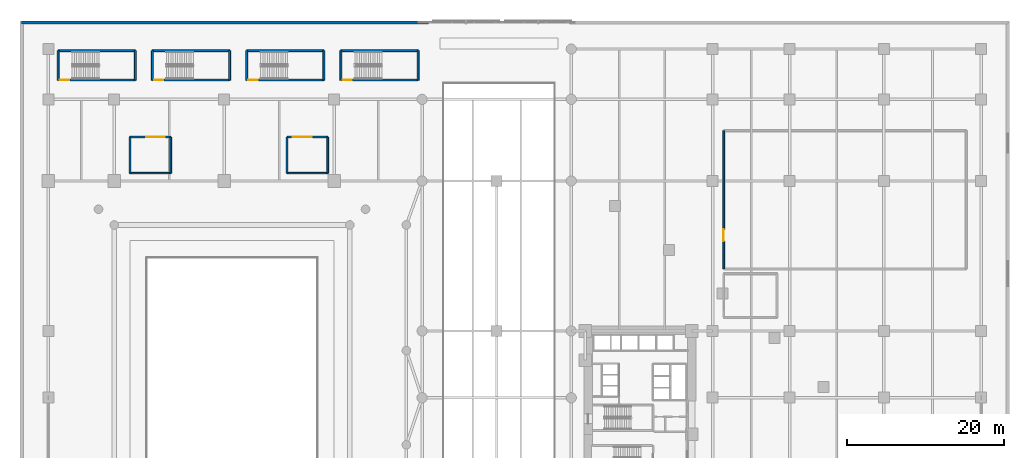
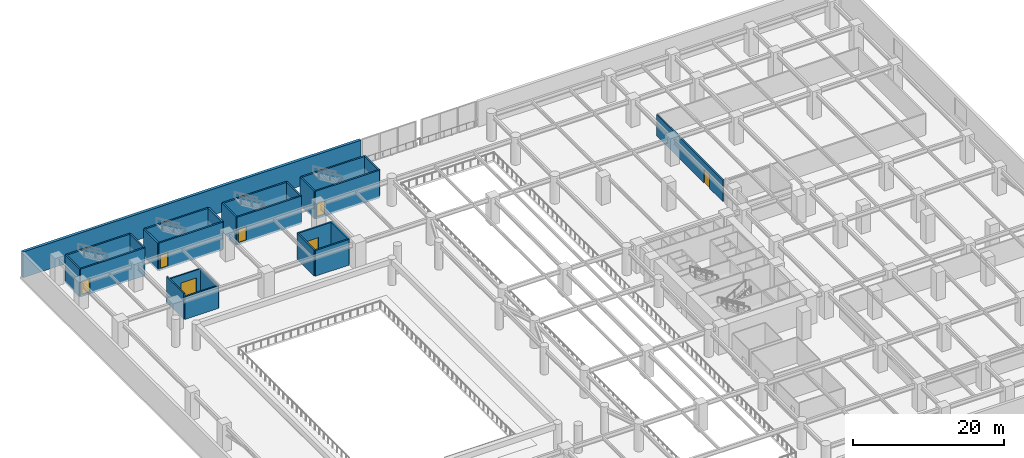
# One storey, part 16 of 32: 26 walls, 7 doors, 7 openings.
"""IFC4 building model written with IfcOpenShell, lengths in metres."""

from ifc_helpers import new_model, si_unit, direction, frame, frame_2d, origin, place, context, subcontext, project, spatial, rectangle, extrude, material, layer, layer_set, type_object, element, fill, save


model = new_model("IFC4")

# Units and contexts
model_context = context("Model", 3, precision=1e-05, world=origin(), true_north=direction((0.0, 1.0)))
body_context = subcontext(model_context, "Body", "Model", "MODEL_VIEW")
ifc_project = project(units=[si_unit("LENGTHUNIT", "METRE"), si_unit("AREAUNIT", "SQUARE_METRE"), si_unit("VOLUMEUNIT", "CUBIC_METRE"), si_unit("PLANEANGLEUNIT", "RADIAN"), si_unit("MASSUNIT", "GRAM", prefix="KILO")], contexts=[model_context])

# Site, building, storey
site_placement = place(None, origin())
site = spatial("IfcSite", under=ifc_project, at=site_placement, CompositionType="ELEMENT")
building_placement = place(site_placement, origin())
building = spatial("IfcBuilding", under=site, at=building_placement, Name="Narakoshi Arena Tower", CompositionType="ELEMENT")
storey_placement = place(building_placement, frame((0.0, 0.0, 4.5)))
storey = spatial("IfcBuildingStorey", under=building, at=storey_placement, Name="L01", CompositionType="ELEMENT", Elevation=4.5)

# Walls
ifc_material_1 = material(Name="Concrete C40/50", Category="concrete")
ifc_layer_1 = layer(ifc_material_1, 0.219970703125)
ifc_layer_set_1 = layer_set([ifc_layer_1], Name="Concrete C40/50")
wall_type_1 = type_object("IfcWallType", Name="WL-COMP-220", PredefinedType="SOLIDWALL", material=ifc_layer_set_1)
wall_1_placement = place(storey_placement, frame((14.0, 76.60009765625, 0.0), z_axis=(0.0, 0.0, 1.0), x_axis=(1.0, 0.0, 0.0)))
element("IfcWall", 1, at=wall_1_placement, inside=storey, type_object=wall_type_1, Name="L01 Vomitory 3 Wall S", PredefinedType="SOLIDWALL", context=body_context, shape_type="SweptSolid", body=[
    extrude(rectangle(XDim=5.199951171875, YDim=0.219970703125, at=frame_2d((2.60009765625, 0.0))), origin(), (0.0, 0.0, 1.0), 3.6650390625),
])
wall_2_placement = place(storey_placement, frame((19.199951171875, 76.60009765625, 0.0), z_axis=(0.0, 0.0, 1.0), x_axis=(0.0, 1.0, 0.0)))
element("IfcWall", 2, at=wall_2_placement, inside=storey, type_object=wall_type_1, Name="L01 Vomitory 3 Wall E", PredefinedType="SOLIDWALL", context=body_context, shape_type="SweptSolid", body=[
    extrude(rectangle(XDim=4.599853515625, YDim=0.219970703125, at=frame_2d((2.2998046875, 0.0))), origin(), (0.0, 0.0, 1.0), 3.6650390625),
])

# Wall, opening, door
wall_3_placement = place(storey_placement, frame((19.199951171875, 81.199951171875, 0.0), z_axis=(0.0, 0.0, 1.0), x_axis=(-1.0, 0.0, 0.0)))
wall_3 = element("IfcWall", 3, at=wall_3_placement, inside=storey, type_object=wall_type_1, Name="L01 Vomitory 3 Wall N", PredefinedType="SOLIDWALL", context=body_context, shape_type="SweptSolid", body=[
    extrude(rectangle(XDim=5.199951171875, YDim=0.219970703125, at=frame_2d((2.60009765625, 0.0))), origin(), (0.0, 0.0, 1.0), 3.6650390625),
])
opening_1_placement = place(wall_3_placement, frame((0.75, 0.0, 0.0)))
opening_1 = element("IfcOpeningElement", 4, at=opening_1_placement, cuts=wall_3, Name="Opening D-02", PredefinedType="OPENING", context=body_context, shape_type="SweptSolid", body=[
    extrude(rectangle(XDim=2.39990234375, YDim=2.39990234375, at=frame_2d((1.199951171875, 1.199951171875))), frame((0.0, 0.119873046875, 0.0), z_axis=(0.0, -1.0, 0.0), x_axis=(1.0, 0.0, 0.0)), (0.0, 0.0, 1.0), 0.239990234375),
])
ifc_material_2 = material(Name="Painted galvanized steel", Category="steel")
door_type_1 = type_object("IfcDoorType", Name="DR-ARN-2400", OperationType="DOUBLE_DOOR_SINGLE_SWING", PredefinedType="USERDEFINED", material=ifc_material_2)
door_1_placement = place(opening_1_placement, frame((2.39990234375, 0.0, 0.0), z_axis=(0.0, 0.0, 1.0), x_axis=(-1.0, 0.0, 0.0)))
door_1 = element("IfcDoor", 5, at=door_1_placement, inside=storey, type_object=door_type_1, Name="DR-L01-024", ObjectType="EXITDOOR", OperationType="DOUBLE_DOOR_SINGLE_SWING", OverallHeight=2.39990234375, OverallWidth=2.39990234375, PredefinedType="USERDEFINED", context=body_context, shape_type="SweptSolid", body=[
    extrude(rectangle(XDim=2.39990234375, YDim=2.39990234375, at=frame_2d((1.199951171875, 1.199951171875))), frame((0.0, 0.02490234375, 0.0), z_axis=(0.0, -1.0, 0.0), x_axis=(1.0, 0.0, 0.0)), (0.0, 0.0, 1.0), 0.050048828125),
])
fill(opening_1, door_1)

# Walls
wall_4_placement = place(storey_placement, frame((14.0, 81.199951171875, 0.0), z_axis=(0.0, 0.0, 1.0), x_axis=(0.0, -1.0, 0.0)))
element("IfcWall", 6, at=wall_4_placement, inside=storey, type_object=wall_type_1, Name="L01 Vomitory 3 Wall W", PredefinedType="SOLIDWALL", context=body_context, shape_type="SweptSolid", body=[
    extrude(rectangle(XDim=4.599853515625, YDim=0.219970703125, at=frame_2d((2.2998046875, 0.0))), origin(), (0.0, 0.0, 1.0), 4.179931640625),
])
wall_5_placement = place(storey_placement, frame((34.0, 76.60009765625, 0.0), z_axis=(0.0, 0.0, 1.0), x_axis=(1.0, 0.0, 0.0)))
element("IfcWall", 7, at=wall_5_placement, inside=storey, type_object=wall_type_1, Name="L01 Vomitory 4 Wall S", PredefinedType="SOLIDWALL", context=body_context, shape_type="SweptSolid", body=[
    extrude(rectangle(XDim=5.199951171875, YDim=0.219970703125, at=frame_2d((2.60009765625, 0.0))), origin(), (0.0, 0.0, 1.0), 4.179931640625),
])
wall_6_placement = place(storey_placement, frame((39.199951171875, 76.60009765625, 0.0), z_axis=(0.0, 0.0, 1.0), x_axis=(0.0, 1.0, 0.0)))
element("IfcWall", 8, at=wall_6_placement, inside=storey, type_object=wall_type_1, Name="L01 Vomitory 4 Wall E", PredefinedType="SOLIDWALL", context=body_context, shape_type="SweptSolid", body=[
    extrude(rectangle(XDim=4.599853515625, YDim=0.219970703125, at=frame_2d((2.2998046875, 0.0))), origin(), (0.0, 0.0, 1.0), 4.179931640625),
])

# Wall, opening, door
wall_7_placement = place(storey_placement, frame((39.199951171875, 81.199951171875, 0.0), z_axis=(0.0, 0.0, 1.0), x_axis=(-1.0, 0.0, 0.0)))
wall_7 = element("IfcWall", 9, at=wall_7_placement, inside=storey, type_object=wall_type_1, Name="L01 Vomitory 4 Wall N", PredefinedType="SOLIDWALL", context=body_context, shape_type="SweptSolid", body=[
    extrude(rectangle(XDim=5.199951171875, YDim=0.219970703125, at=frame_2d((2.60009765625, 0.0))), origin(), (0.0, 0.0, 1.0), 4.179931640625),
])
opening_2_placement = place(wall_7_placement, frame((2.050048828125, 0.0, 0.0)))
opening_2 = element("IfcOpeningElement", 10, at=opening_2_placement, cuts=wall_7, Name="Opening D-02", PredefinedType="OPENING", context=body_context, shape_type="SweptSolid", body=[
    extrude(rectangle(XDim=2.39990234375, YDim=2.39990234375, at=frame_2d((1.199951171875, 1.199951171875))), frame((0.0, 0.119873046875, 0.0), z_axis=(0.0, -1.0, 0.0), x_axis=(1.0, 0.0, 0.0)), (0.0, 0.0, 1.0), 0.239990234375),
])
door_2_placement = place(opening_2_placement, frame((2.39990234375, 0.0, 0.0), z_axis=(0.0, 0.0, 1.0), x_axis=(-1.0, 0.0, 0.0)))
door_2 = element("IfcDoor", 11, at=door_2_placement, inside=storey, type_object=door_type_1, Name="DR-L01-025", ObjectType="EXITDOOR", OperationType="DOUBLE_DOOR_SINGLE_SWING", OverallHeight=2.39990234375, OverallWidth=2.39990234375, PredefinedType="USERDEFINED", context=body_context, shape_type="SweptSolid", body=[
    extrude(rectangle(XDim=2.39990234375, YDim=2.39990234375, at=frame_2d((1.199951171875, 1.199951171875))), frame((0.0, 0.02490234375, 0.0), z_axis=(0.0, -1.0, 0.0), x_axis=(1.0, 0.0, 0.0)), (0.0, 0.0, 1.0), 0.050048828125),
])
fill(opening_2, door_2)

# Wall
wall_8_placement = place(storey_placement, frame((34.0, 81.199951171875, 0.0), z_axis=(0.0, 0.0, 1.0), x_axis=(0.0, -1.0, 0.0)))
element("IfcWall", 12, at=wall_8_placement, inside=storey, type_object=wall_type_1, Name="L01 Vomitory 4 Wall W", PredefinedType="SOLIDWALL", context=body_context, shape_type="SweptSolid", body=[
    extrude(rectangle(XDim=4.599853515625, YDim=0.219970703125, at=frame_2d((2.2998046875, 0.0))), origin(), (0.0, 0.0, 1.0), 4.179931640625),
])

# Wall, opening, door
wall_9_placement = place(storey_placement, frame((89.60009765625, 82.0, 0.0), z_axis=(0.0, 0.0, 1.0), x_axis=(0.0, -1.0, 0.0)))
wall_9 = element("IfcWall", 13, at=wall_9_placement, inside=storey, type_object=wall_type_1, Name="L01 Event Hospitality Banquet Hall Wall W", PredefinedType="SOLIDWALL", context=body_context, shape_type="SweptSolid", body=[
    extrude(rectangle(XDim=17.60009765625, YDim=0.219970703125, at=frame_2d((8.800048828125, 0.0))), origin(), (0.0, 0.0, 1.0), 3.465087890625),
])
opening_3_placement = place(wall_9_placement, frame((12.55810546875, 0.0, 0.0)))
opening_3 = element("IfcOpeningElement", 14, at=opening_3_placement, cuts=wall_9, Name="Opening D-09", PredefinedType="OPENING", context=body_context, shape_type="SweptSolid", body=[
    extrude(rectangle(XDim=1.5, YDim=2.25, at=frame_2d((0.75, 1.125))), frame((0.0, 0.119873046875, 0.0), z_axis=(0.0, -1.0, 0.0), x_axis=(1.0, 0.0, 0.0)), (0.0, 0.0, 1.0), 0.239990234375),
])
door_type_2 = type_object("IfcDoorType", Name="DR-PLT-1500", OperationType="DOUBLE_DOOR_SINGLE_SWING", PredefinedType="DOOR", material=ifc_material_2)
door_3_placement = place(opening_3_placement, frame((1.5, 0.0, 0.0), z_axis=(0.0, 0.0, 1.0), x_axis=(-1.0, 0.0, 0.0)))
door_3 = element("IfcDoor", 15, at=door_3_placement, inside=storey, type_object=door_type_2, Name="DR-L01-028", OperationType="DOUBLE_DOOR_SINGLE_SWING", OverallHeight=2.25, OverallWidth=1.5, PredefinedType="DOOR", context=body_context, shape_type="SweptSolid", body=[
    extrude(rectangle(XDim=1.5, YDim=2.25, at=frame_2d((0.75, 1.125))), frame((0.0, 0.02490234375, 0.0), z_axis=(0.0, -1.0, 0.0), x_axis=(1.0, 0.0, 0.0)), (0.0, 0.0, 1.0), 0.050048828125),
])
fill(opening_3, door_3)

# Walls
ifc_material_3 = material(Name="Precast concrete C45/55", Category="concrete")
ifc_layer_2 = layer(ifc_material_3, 0.419921875)
ifc_layer_set_2 = layer_set([ifc_layer_2], Name="Precast concrete C45/55")
wall_type_2 = type_object("IfcWallType", Name="WL-POD-420", PredefinedType="SOLIDWALL", material=ifc_layer_set_2)
wall_10_placement = place(storey_placement, frame((52.0, 95.7900390625, 0.0), z_axis=(0.0, 0.0, 1.0), x_axis=(-1.0, 0.0, 0.0)))
element("IfcWall", 16, at=wall_10_placement, inside=storey, type_object=wall_type_2, Name="L01 Podium Precast Facade Wall NW", PredefinedType="SOLIDWALL", context=body_context, shape_type="SweptSolid", body=[
    extrude(rectangle(XDim=51.7900390625, YDim=0.419921875, at=frame_2d((25.89501953125, 0.0))), origin(), (0.0, 0.0, 1.0), 4.179931640625),
])
ifc_material_4 = material(Name="Concrete C50/60", Category="concrete")
ifc_layer_3 = layer(ifc_material_4, 0.35009765625)
ifc_layer_set_3 = layer_set([ifc_layer_3], Name="Concrete C50/60")
wall_type_3 = type_object("IfcWallType", Name="WL-SHAFT-350", PredefinedType="SOLIDWALL", material=ifc_layer_set_3)
for number, where, z_axis, x_axis, name in (
    (17, (4.85009765625, 88.449951171875, -0.320068359375), (0.0, 0.0, 1.0), (0.0, 1.0, 0.0), "L01 AST5 Enclosure Wall W"),
    (18, (14.699951171875, 88.449951171875, -0.320068359375), (0.0, 0.0, 1.0), (0.0, 1.0, 0.0), "L01 AST5 Enclosure Wall E"),
):
    element("IfcWall", number, at=place(storey_placement, frame(where, z_axis=z_axis, x_axis=x_axis)), inside=storey, type_object=wall_type_3, Name=name, PredefinedType="SOLIDWALL", context=body_context, shape_type="SweptSolid", body=[
        extrude(rectangle(XDim=3.75, YDim=0.25, at=frame_2d((1.875, 0.0))), origin(), (0.0, 0.0, 1.0), 4.5),
    ])
wall_11_placement = place(storey_placement, frame((4.85009765625, 92.199951171875, -0.320068359375), z_axis=(0.0, 0.0, 1.0), x_axis=(1.0, 0.0, 0.0)))
element("IfcWall", 19, at=wall_11_placement, inside=storey, type_object=wall_type_3, Name="L01 AST5 Enclosure Wall B", PredefinedType="SOLIDWALL", context=body_context, shape_type="SweptSolid", body=[
    extrude(rectangle(XDim=9.849853515625, YDim=0.25, at=frame_2d((4.9248046875, 0.0))), origin(), (0.0, 0.0, 1.0), 4.5),
])

# Wall, opening, door
wall_12_placement = place(storey_placement, frame((4.85009765625, 88.449951171875, -0.320068359375), z_axis=(0.0, 0.0, 1.0), x_axis=(1.0, 0.0, 0.0)))
wall_12 = element("IfcWall", 20, at=wall_12_placement, inside=storey, type_object=wall_type_3, Name="L01 AST5 Landing Door Wall", PredefinedType="SOLIDWALL", context=body_context, shape_type="SweptSolid", body=[
    extrude(rectangle(XDim=9.849853515625, YDim=0.25, at=frame_2d((4.9248046875, 0.0))), origin(), (0.0, 0.0, 1.0), 4.5),
])
opening_4_placement = place(wall_12_placement, frame((0.219970703125, 0.0, 0.320068359375)))
opening_4 = element("IfcOpeningElement", 21, at=opening_4_placement, cuts=wall_12, Name="Opening D-03", PredefinedType="OPENING", context=body_context, shape_type="SweptSolid", body=[
    extrude(rectangle(XDim=1.199951171875, YDim=2.199951171875, at=frame_2d((0.60009765625, 1.10009765625))), frame((0.0, 0.135009765625, 0.0), z_axis=(0.0, -1.0, 0.0), x_axis=(1.0, 0.0, 0.0)), (0.0, 0.0, 1.0), 0.27001953125),
])
door_type_3 = type_object("IfcDoorType", Name="DR-STR-1200", OperationType="NOTDEFINED", PredefinedType="USERDEFINED", material=ifc_material_2)
door_4_placement = place(opening_4_placement, origin())
door_4 = element("IfcDoor", 22, at=door_4_placement, inside=storey, type_object=door_type_3, Name="DR-L01-018", ObjectType="EXITDOOR", OperationType="SINGLE_SWING_LEFT", OverallHeight=2.199951171875, OverallWidth=1.199951171875, PredefinedType="USERDEFINED", context=body_context, shape_type="SweptSolid", body=[
    extrude(rectangle(XDim=1.199951171875, YDim=2.199951171875, at=frame_2d((0.60009765625, 1.10009765625))), frame((0.0, 0.02490234375, 0.0), z_axis=(0.0, -1.0, 0.0), x_axis=(1.0, 0.0, 0.0)), (0.0, 0.0, 1.0), 0.050048828125),
])
fill(opening_4, door_4)

# Walls
for number, where, z_axis, x_axis, name in (
    (23, (16.85009765625, 88.449951171875, -0.320068359375), (0.0, 0.0, 1.0), (0.0, 1.0, 0.0), "L01 AST6 Enclosure Wall W"),
    (24, (26.699951171875, 88.449951171875, -0.320068359375), (0.0, 0.0, 1.0), (0.0, 1.0, 0.0), "L01 AST6 Enclosure Wall E"),
):
    element("IfcWall", number, at=place(storey_placement, frame(where, z_axis=z_axis, x_axis=x_axis)), inside=storey, type_object=wall_type_3, Name=name, PredefinedType="SOLIDWALL", context=body_context, shape_type="SweptSolid", body=[
        extrude(rectangle(XDim=3.75, YDim=0.25, at=frame_2d((1.875, 0.0))), origin(), (0.0, 0.0, 1.0), 4.5),
    ])
wall_13_placement = place(storey_placement, frame((16.85009765625, 92.199951171875, -0.320068359375), z_axis=(0.0, 0.0, 1.0), x_axis=(1.0, 0.0, 0.0)))
element("IfcWall", 25, at=wall_13_placement, inside=storey, type_object=wall_type_3, Name="L01 AST6 Enclosure Wall B", PredefinedType="SOLIDWALL", context=body_context, shape_type="SweptSolid", body=[
    extrude(rectangle(XDim=9.849853515625, YDim=0.25, at=frame_2d((4.9248046875, 0.0))), origin(), (0.0, 0.0, 1.0), 4.5),
])

# Wall, opening, door
wall_14_placement = place(storey_placement, frame((16.85009765625, 88.449951171875, -0.320068359375), z_axis=(0.0, 0.0, 1.0), x_axis=(1.0, 0.0, 0.0)))
wall_14 = element("IfcWall", 26, at=wall_14_placement, inside=storey, type_object=wall_type_3, Name="L01 AST6 Landing Door Wall", PredefinedType="SOLIDWALL", context=body_context, shape_type="SweptSolid", body=[
    extrude(rectangle(XDim=9.849853515625, YDim=0.25, at=frame_2d((4.9248046875, 0.0))), origin(), (0.0, 0.0, 1.0), 4.5),
])
opening_5_placement = place(wall_14_placement, frame((0.219970703125, 0.0, 0.320068359375)))
opening_5 = element("IfcOpeningElement", 27, at=opening_5_placement, cuts=wall_14, Name="Opening D-03", PredefinedType="OPENING", context=body_context, shape_type="SweptSolid", body=[
    extrude(rectangle(XDim=1.199951171875, YDim=2.199951171875, at=frame_2d((0.60009765625, 1.10009765625))), frame((0.0, 0.135009765625, 0.0), z_axis=(0.0, -1.0, 0.0), x_axis=(1.0, 0.0, 0.0)), (0.0, 0.0, 1.0), 0.27001953125),
])
door_5_placement = place(opening_5_placement, origin())
door_5 = element("IfcDoor", 28, at=door_5_placement, inside=storey, type_object=door_type_3, Name="DR-L01-019", ObjectType="EXITDOOR", OperationType="SINGLE_SWING_RIGHT", OverallHeight=2.199951171875, OverallWidth=1.199951171875, PredefinedType="USERDEFINED", context=body_context, shape_type="SweptSolid", body=[
    extrude(rectangle(XDim=1.199951171875, YDim=2.199951171875, at=frame_2d((0.60009765625, 1.10009765625))), frame((0.0, 0.02490234375, 0.0), z_axis=(0.0, -1.0, 0.0), x_axis=(1.0, 0.0, 0.0)), (0.0, 0.0, 1.0), 0.050048828125),
])
fill(opening_5, door_5)

# Walls
for number, where, z_axis, x_axis, name in (
    (29, (28.85009765625, 88.449951171875, -0.320068359375), (0.0, 0.0, 1.0), (0.0, 1.0, 0.0), "L01 AST7 Enclosure Wall W"),
    (30, (38.699951171875, 88.449951171875, -0.320068359375), (0.0, 0.0, 1.0), (0.0, 1.0, 0.0), "L01 AST7 Enclosure Wall E"),
):
    element("IfcWall", number, at=place(storey_placement, frame(where, z_axis=z_axis, x_axis=x_axis)), inside=storey, type_object=wall_type_3, Name=name, PredefinedType="SOLIDWALL", context=body_context, shape_type="SweptSolid", body=[
        extrude(rectangle(XDim=3.75, YDim=0.25, at=frame_2d((1.875, 0.0))), origin(), (0.0, 0.0, 1.0), 4.5),
    ])
wall_15_placement = place(storey_placement, frame((28.85009765625, 92.199951171875, -0.320068359375), z_axis=(0.0, 0.0, 1.0), x_axis=(1.0, 0.0, 0.0)))
element("IfcWall", 31, at=wall_15_placement, inside=storey, type_object=wall_type_3, Name="L01 AST7 Enclosure Wall B", PredefinedType="SOLIDWALL", context=body_context, shape_type="SweptSolid", body=[
    extrude(rectangle(XDim=9.849853515625, YDim=0.25, at=frame_2d((4.9248046875, 0.0))), origin(), (0.0, 0.0, 1.0), 4.5),
])

# Wall, opening, door
wall_16_placement = place(storey_placement, frame((28.85009765625, 88.449951171875, -0.320068359375), z_axis=(0.0, 0.0, 1.0), x_axis=(1.0, 0.0, 0.0)))
wall_16 = element("IfcWall", 32, at=wall_16_placement, inside=storey, type_object=wall_type_3, Name="L01 AST7 Landing Door Wall", PredefinedType="SOLIDWALL", context=body_context, shape_type="SweptSolid", body=[
    extrude(rectangle(XDim=9.849853515625, YDim=0.25, at=frame_2d((4.9248046875, 0.0))), origin(), (0.0, 0.0, 1.0), 4.5),
])
opening_6_placement = place(wall_16_placement, frame((0.219970703125, 0.0, 0.320068359375)))
opening_6 = element("IfcOpeningElement", 33, at=opening_6_placement, cuts=wall_16, Name="Opening D-03", PredefinedType="OPENING", context=body_context, shape_type="SweptSolid", body=[
    extrude(rectangle(XDim=1.199951171875, YDim=2.199951171875, at=frame_2d((0.60009765625, 1.10009765625))), frame((0.0, 0.135009765625, 0.0), z_axis=(0.0, -1.0, 0.0), x_axis=(1.0, 0.0, 0.0)), (0.0, 0.0, 1.0), 0.27001953125),
])
door_6_placement = place(opening_6_placement, origin())
door_6 = element("IfcDoor", 34, at=door_6_placement, inside=storey, type_object=door_type_3, Name="DR-L01-020", ObjectType="EXITDOOR", OperationType="SINGLE_SWING_LEFT", OverallHeight=2.199951171875, OverallWidth=1.199951171875, PredefinedType="USERDEFINED", context=body_context, shape_type="SweptSolid", body=[
    extrude(rectangle(XDim=1.199951171875, YDim=2.199951171875, at=frame_2d((0.60009765625, 1.10009765625))), frame((0.0, 0.02490234375, 0.0), z_axis=(0.0, -1.0, 0.0), x_axis=(1.0, 0.0, 0.0)), (0.0, 0.0, 1.0), 0.050048828125),
])
fill(opening_6, door_6)

# Walls
for number, where, z_axis, x_axis, name in (
    (35, (40.85009765625, 88.449951171875, -0.320068359375), (0.0, 0.0, 1.0), (0.0, 1.0, 0.0), "L01 AST8 Enclosure Wall W"),
    (36, (50.699951171875, 88.449951171875, -0.320068359375), (0.0, 0.0, 1.0), (0.0, 1.0, 0.0), "L01 AST8 Enclosure Wall E"),
):
    element("IfcWall", number, at=place(storey_placement, frame(where, z_axis=z_axis, x_axis=x_axis)), inside=storey, type_object=wall_type_3, Name=name, PredefinedType="SOLIDWALL", context=body_context, shape_type="SweptSolid", body=[
        extrude(rectangle(XDim=3.75, YDim=0.25, at=frame_2d((1.875, 0.0))), origin(), (0.0, 0.0, 1.0), 4.5),
    ])
wall_17_placement = place(storey_placement, frame((40.85009765625, 92.199951171875, -0.320068359375), z_axis=(0.0, 0.0, 1.0), x_axis=(1.0, 0.0, 0.0)))
element("IfcWall", 37, at=wall_17_placement, inside=storey, type_object=wall_type_3, Name="L01 AST8 Enclosure Wall B", PredefinedType="SOLIDWALL", context=body_context, shape_type="SweptSolid", body=[
    extrude(rectangle(XDim=9.849853515625, YDim=0.25, at=frame_2d((4.9248046875, 0.0))), origin(), (0.0, 0.0, 1.0), 4.5),
])

# Wall, opening, door
wall_18_placement = place(storey_placement, frame((40.85009765625, 88.449951171875, -0.320068359375), z_axis=(0.0, 0.0, 1.0), x_axis=(1.0, 0.0, 0.0)))
wall_18 = element("IfcWall", 38, at=wall_18_placement, inside=storey, type_object=wall_type_3, Name="L01 AST8 Landing Door Wall", PredefinedType="SOLIDWALL", context=body_context, shape_type="SweptSolid", body=[
    extrude(rectangle(XDim=9.849853515625, YDim=0.25, at=frame_2d((4.9248046875, 0.0))), origin(), (0.0, 0.0, 1.0), 4.5),
])
opening_7_placement = place(wall_18_placement, frame((0.219970703125, 0.0, 0.320068359375)))
opening_7 = element("IfcOpeningElement", 39, at=opening_7_placement, cuts=wall_18, Name="Opening D-03", PredefinedType="OPENING", context=body_context, shape_type="SweptSolid", body=[
    extrude(rectangle(XDim=1.199951171875, YDim=2.199951171875, at=frame_2d((0.60009765625, 1.10009765625))), frame((0.0, 0.135009765625, 0.0), z_axis=(0.0, -1.0, 0.0), x_axis=(1.0, 0.0, 0.0)), (0.0, 0.0, 1.0), 0.27001953125),
])
door_7_placement = place(opening_7_placement, origin())
door_7 = element("IfcDoor", 40, at=door_7_placement, inside=storey, type_object=door_type_3, Name="DR-L01-021", ObjectType="EXITDOOR", OperationType="SINGLE_SWING_RIGHT", OverallHeight=2.199951171875, OverallWidth=1.199951171875, PredefinedType="USERDEFINED", context=body_context, shape_type="SweptSolid", body=[
    extrude(rectangle(XDim=1.199951171875, YDim=2.199951171875, at=frame_2d((0.60009765625, 1.10009765625))), frame((0.0, 0.02490234375, 0.0), z_axis=(0.0, -1.0, 0.0), x_axis=(1.0, 0.0, 0.0)), (0.0, 0.0, 1.0), 0.050048828125),
])
fill(opening_7, door_7)

save(model, "model.ifc")
